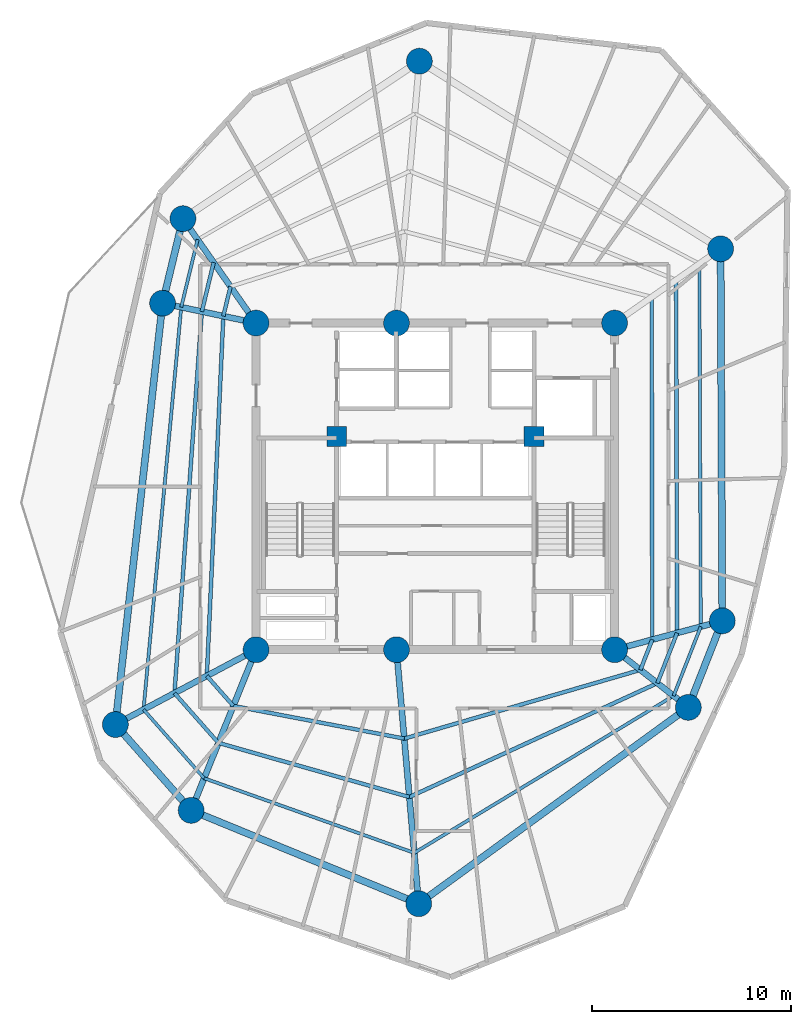
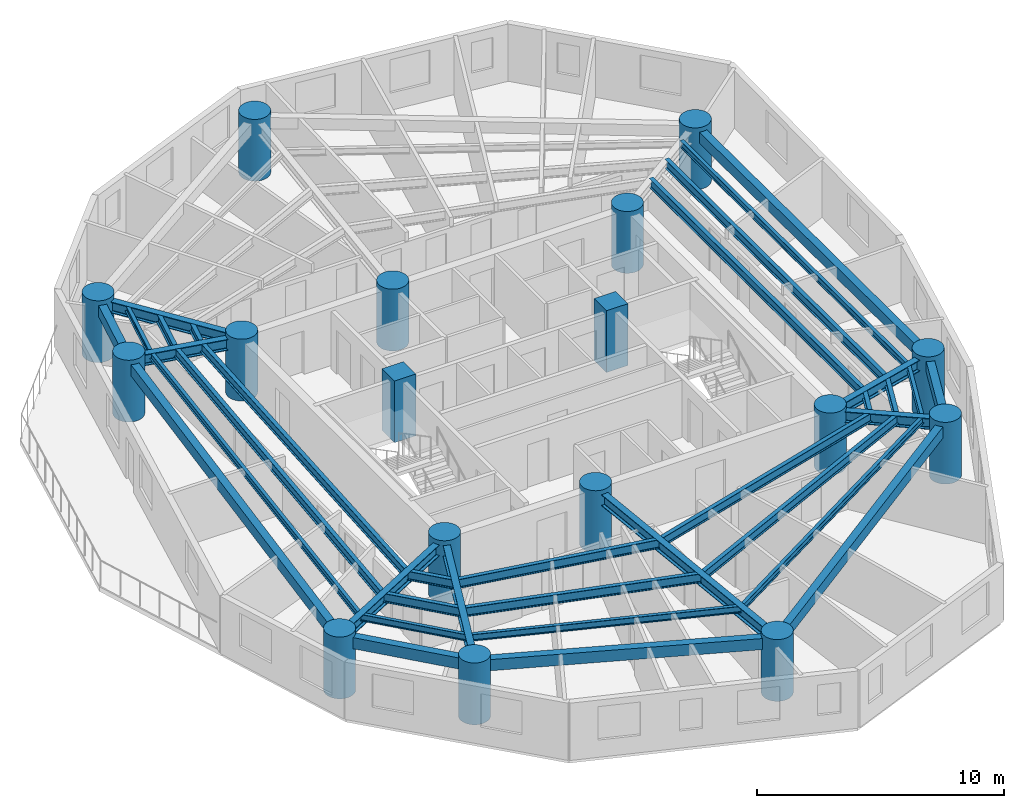
# One storey, part 1 of 9: 35 beams, 17 columns.
"""IFC4 building model written with IfcOpenShell, lengths in metres."""

from ifc_helpers import new_model, si_unit, direction, frame, origin, origin_with_axes, origin_2d, place, context, subcontext, project, spatial, rectangle, circle, i_section, extrude, source, transform, mapped, material, material_profile, profile_set, type_object, element, save


model = new_model("IFC4")

# Units and contexts
model_context = context("Model", 3, precision=1e-05, world=origin(), true_north=direction((0.0, 1.0)))
body_context = subcontext(model_context, "Body", "Model", "MODEL_VIEW")
ifc_project = project(units=[si_unit("LENGTHUNIT", "METRE"), si_unit("AREAUNIT", "SQUARE_METRE"), si_unit("VOLUMEUNIT", "CUBIC_METRE"), si_unit("PLANEANGLEUNIT", "RADIAN"), si_unit("MASSUNIT", "GRAM", prefix="KILO")], contexts=[model_context])

# Site, building, storey
site_placement = place(None, origin())
site = spatial("IfcSite", under=ifc_project, at=site_placement, CompositionType="ELEMENT")
building_placement = place(site_placement, origin())
building = spatial("IfcBuilding", under=site, at=building_placement, Name="Karkom Vertical University and Central Library", CompositionType="ELEMENT")
storey_placement = place(building_placement, frame((0.0, 0.0, 156.550048828125)))
storey = spatial("IfcBuildingStorey", under=building, at=storey_placement, Name="L44", CompositionType="ELEMENT", Elevation=156.550048828125)

# Columns
ifc_material_1 = material(Name="Concrete C50/60", Category="concrete")
ifc_material_profile_1 = material_profile(ifc_material_1, circle(Radius=0.64990234375, at=origin_2d()), Name="CFT-D1300")
ifc_profile_set_1 = profile_set([ifc_material_profile_1], Name="Concrete C50/60")
column_type_1 = type_object("IfcColumnType", Name="STR-COL-C-SC4", PredefinedType="COLUMN", material=ifc_profile_set_1)
shared_shape_1 = source(origin_with_axes(), body_context, "Body", "SweptSolid", [
    extrude(circle(Radius=0.64990234375, at=origin_2d()), origin(), (0.0, 0.0, 1.0), 3.050048828125),
])
for number, where, z_axis, x_axis, name in (
    (1, (19.5, 18.300048828125, 0.0), (0.0, 0.0, 1.0), (1.0, 0.0, 0.0), "Level 44 Spine Mega-Column SC-1"),
    (2, (26.550048828125, 18.300048828125, 0.0), (0.0, 0.0, 1.0), (1.0, 0.0, 0.0), "Level 44 Spine Mega-Column SC-2"),
    (3, (37.5, 18.300048828125, 0.0), (0.0, 0.0, 1.0), (1.0, 0.0, 0.0), "Level 44 Spine Mega-Column SC-3"),
    (4, (19.5, 34.699951171875, 0.0), (0.0, 0.0, 1.0), (1.0, 0.0, 0.0), "Level 44 Spine Mega-Column SC-4"),
    (5, (26.550048828125, 34.699951171875, 0.0), (0.0, 0.0, 1.0), (1.0, 0.0, 0.0), "Level 44 Spine Mega-Column SC-5"),
    (6, (37.5, 34.699951171875, 0.0), (0.0, 0.0, 1.0), (1.0, 0.0, 0.0), "Level 44 Spine Mega-Column SC-6"),
    (7, (42.908935546875, 19.7490234375, 0.0), (0.0, 0.0, 1.0), (1.0, 0.0, 0.0), "Level 44 Perimeter Mega-Column Z3-PC1"),
    (8, (42.823974609375, 38.427978515625, 0.0), (0.0, 0.0, 1.0), (1.0, 0.0, 0.0), "Level 44 Perimeter Mega-Column Z3-PC2"),
    (9, (27.699951171875, 47.85009765625, 0.0), (0.0, 0.0, 1.0), (1.0, 0.0, 0.0), "Level 44 Perimeter Mega-Column Z3-PC3"),
    (10, (15.8291015625, 39.943115234375, 0.0), (0.0, 0.0, 1.0), (1.0, 0.0, 0.0), "Level 44 Perimeter Mega-Column Z3-PC4"),
    (11, (14.804931640625, 35.697998046875, 0.0), (0.0, 0.0, 1.0), (1.0, 0.0, 0.0), "Level 44 Perimeter Mega-Column Z3-PC5"),
    (12, (12.43603515625, 14.5439453125, 0.0), (0.0, 0.0, 1.0), (1.0, 0.0, 0.0), "Level 44 Perimeter Mega-Column Z3-PC6"),
    (13, (16.240966796875, 10.23388671875, 0.0), (0.0, 0.0, 1.0), (1.0, 0.0, 0.0), "Level 44 Perimeter Mega-Column Z3-PC7"),
    (14, (27.666015625, 5.549072265625, 0.0), (0.0, 0.0, 1.0), (1.0, 0.0, 0.0), "Level 44 Perimeter Mega-Column Z3-PC8"),
    (15, (41.2041015625, 15.406005859375, 0.0), (0.0, 0.0, 1.0), (1.0, 0.0, 0.0), "Level 44 Perimeter Mega-Column Z3-PC9"),
):
    element("IfcColumn", number, at=place(storey_placement, frame(where, z_axis=z_axis, x_axis=x_axis)), inside=storey, type_object=column_type_1, Name=name, PredefinedType="COLUMN", context=body_context, shape_type="MappedRepresentation", body=[
        mapped(shared_shape_1, transform((0.0, 0.0, 0.0), scale=1.0)),
    ])
ifc_material_profile_2 = material_profile(ifc_material_1, rectangle(XDim=1.0, YDim=1.0, at=origin_2d()), Name="RC-1000x1000")
ifc_profile_set_2 = profile_set([ifc_material_profile_2], Name="Concrete C50/60")
column_type_2 = type_object("IfcColumnType", Name="STR-COL-C-CC2", PredefinedType="COLUMN", material=ifc_profile_set_2)
shared_shape_2 = source(origin_with_axes(), body_context, "Body", "SweptSolid", [
    extrude(rectangle(XDim=1.0, YDim=1.0, at=origin_2d()), origin(), (0.0, 0.0, 1.0), 3.050048828125),
])
for number, where, z_axis, x_axis, name in (
    (16, (23.550048828125, 29.0, 0.0), (0.0, 0.0, 1.0), (1.0, 0.0, 0.0), "Level 44 Core Node Column CC-1"),
    (17, (33.449951171875, 29.0, 0.0), (0.0, 0.0, 1.0), (1.0, 0.0, 0.0), "Level 44 Core Node Column CC-2"),
):
    element("IfcColumn", number, at=place(storey_placement, frame(where, z_axis=z_axis, x_axis=x_axis)), inside=storey, type_object=column_type_2, Name=name, PredefinedType="COLUMN", context=body_context, shape_type="MappedRepresentation", body=[
        mapped(shared_shape_2, transform((0.0, 0.0, 0.0), scale=1.0)),
    ])

# Beams
ifc_material_2 = material(Name="Precast concrete C45/55", Category="concrete")
ifc_material_profile_3 = material_profile(ifc_material_2, rectangle(XDim=0.35009765625, YDim=0.550048828125, at=origin_2d()), Name="SPB-350x550")
ifc_profile_set_3 = profile_set([ifc_material_profile_3], Name="Precast concrete C45/55")
beam_type_1 = type_object("IfcBeamType", Name="STR-BM-SP-2", PredefinedType="SPANDREL", material=ifc_profile_set_3)
shared_shape_3 = source(origin_with_axes(), body_context, "Body", "SweptSolid", [
    extrude(rectangle(XDim=0.35009765625, YDim=0.550048828125, at=origin_2d()), origin(), (0.0, 0.0, 1.0), 18.67919921875),
])
beam_1_placement = place(storey_placement, frame((42.908935546875, 19.7490234375, 2.550048828125), z_axis=(-0.004548437442, 0.999989655805, 0.0), x_axis=(-0.999989655805, -0.004548437442, 0.0)))
element("IfcBeam", 18, at=beam_1_placement, inside=storey, type_object=beam_type_1, Name="Level 44 Perimeter Spandrel Beam 01", PredefinedType="SPANDREL", context=body_context, shape_type="MappedRepresentation", body=[
    mapped(shared_shape_3, transform((0.0, 0.0, 0.0), scale=1.0)),
])
shared_shape_4 = source(origin_with_axes(), body_context, "Body", "SweptSolid", [
    extrude(rectangle(XDim=0.35009765625, YDim=0.550048828125, at=origin_2d()), origin(), (0.0, 0.0, 1.0), 4.366943359375),
])
beam_2_placement = place(storey_placement, frame((15.8291015625, 39.943115234375, 2.550048828125), z_axis=(-0.234529408772, -0.972109024966, 0.0), x_axis=(0.972109024966, -0.234529408772, 0.0)))
element("IfcBeam", 19, at=beam_2_placement, inside=storey, type_object=beam_type_1, Name="Level 44 Perimeter Spandrel Beam 04", PredefinedType="SPANDREL", context=body_context, shape_type="MappedRepresentation", body=[
    mapped(shared_shape_4, transform((0.0, 0.0, 0.0), scale=1.0)),
])
shared_shape_5 = source(origin_with_axes(), body_context, "Body", "SweptSolid", [
    extrude(rectangle(XDim=0.35009765625, YDim=0.550048828125, at=origin_2d()), origin(), (0.0, 0.0, 1.0), 21.286376953125),
])
beam_3_placement = place(storey_placement, frame((14.804931640625, 35.697998046875, 2.550048828125), z_axis=(-0.111287493264, -0.993788254028, 0.0), x_axis=(0.993788254028, -0.111287493264, 0.0)))
element("IfcBeam", 20, at=beam_3_placement, inside=storey, type_object=beam_type_1, Name="Level 44 Perimeter Spandrel Beam 05", PredefinedType="SPANDREL", context=body_context, shape_type="MappedRepresentation", body=[
    mapped(shared_shape_5, transform((0.0, 0.0, 0.0), scale=1.0)),
])
shared_shape_6 = source(origin_with_axes(), body_context, "Body", "SweptSolid", [
    extrude(rectangle(XDim=0.35009765625, YDim=0.550048828125, at=origin_2d()), origin(), (0.0, 0.0, 1.0), 5.749267578125),
])
beam_4_placement = place(storey_placement, frame((12.43603515625, 14.5439453125, 2.550048828125), z_axis=(0.661811219671, -0.74967053398, 0.0), x_axis=(0.74967053398, 0.661811219671, 0.0)))
element("IfcBeam", 21, at=beam_4_placement, inside=storey, type_object=beam_type_1, Name="Level 44 Perimeter Spandrel Beam 06", PredefinedType="SPANDREL", context=body_context, shape_type="MappedRepresentation", body=[
    mapped(shared_shape_6, transform((0.0, 0.0, 0.0), scale=1.0)),
])
shared_shape_7 = source(origin_with_axes(), body_context, "Body", "SweptSolid", [
    extrude(rectangle(XDim=0.35009765625, YDim=0.550048828125, at=origin_2d()), origin(), (0.0, 0.0, 1.0), 12.34814453125),
])
beam_5_placement = place(storey_placement, frame((16.240966796875, 10.23388671875, 2.550048828125), z_axis=(0.925236428984, -0.37939102583, 0.0), x_axis=(0.37939102583, 0.925236428984, 0.0)))
element("IfcBeam", 22, at=beam_5_placement, inside=storey, type_object=beam_type_1, Name="Level 44 Perimeter Spandrel Beam 07", PredefinedType="SPANDREL", context=body_context, shape_type="MappedRepresentation", body=[
    mapped(shared_shape_7, transform((0.0, 0.0, 0.0), scale=1.0)),
])
shared_shape_8 = source(origin_with_axes(), body_context, "Body", "SweptSolid", [
    extrude(rectangle(XDim=0.35009765625, YDim=0.550048828125, at=origin_2d()), origin(), (0.0, 0.0, 1.0), 16.746337890625),
])
beam_6_placement = place(storey_placement, frame((27.666015625, 5.549072265625, 2.550048828125), z_axis=(0.808422013284, 0.588603303115, 0.0), x_axis=(-0.588603303115, 0.808422013284, 0.0)))
element("IfcBeam", 23, at=beam_6_placement, inside=storey, type_object=beam_type_1, Name="Level 44 Perimeter Spandrel Beam 08", PredefinedType="SPANDREL", context=body_context, shape_type="MappedRepresentation", body=[
    mapped(shared_shape_8, transform((0.0, 0.0, 0.0), scale=1.0)),
])
shared_shape_9 = source(origin_with_axes(), body_context, "Body", "SweptSolid", [
    extrude(rectangle(XDim=0.35009765625, YDim=0.550048828125, at=origin_2d()), origin(), (0.0, 0.0, 1.0), 4.66552734375),
])
beam_7_placement = place(storey_placement, frame((41.2041015625, 15.406005859375, 2.550048828125), z_axis=(0.365401419454, 0.930850043058, 0.0), x_axis=(-0.930850043058, 0.365401419454, 0.0)))
element("IfcBeam", 24, at=beam_7_placement, inside=storey, type_object=beam_type_1, Name="Level 44 Perimeter Spandrel Beam 09", PredefinedType="SPANDREL", context=body_context, shape_type="MappedRepresentation", body=[
    mapped(shared_shape_9, transform((0.0, 0.0, 0.0), scale=1.0)),
])
ifc_material_3 = material(Name="Steel S355", Category="steel")
ifc_material_profile_4 = material_profile(ifc_material_3, i_section(OverallWidth=0.18994140625, OverallDepth=0.449951171875, WebThickness=0.009521484375, FlangeThickness=0.0146484375, FilletRadius=0.02099609375, at=origin_2d()), Name="IPE 450")
ifc_profile_set_4 = profile_set([ifc_material_profile_4], Name="Steel S355")
beam_type_2 = type_object("IfcBeamType", Name="STR-BM-SB-IPE450", PredefinedType="BEAM", material=ifc_profile_set_4)
shared_shape_10 = source(origin_with_axes(), body_context, "Body", "SweptSolid", [
    extrude(i_section(OverallWidth=0.18994140625, OverallDepth=0.449951171875, WebThickness=0.009521484375, FlangeThickness=0.0146484375, FilletRadius=0.02099609375, at=origin_2d()), origin(), (0.0, 0.0, 1.0), 17.19775390625),
])
beam_8_placement = place(storey_placement, frame((39.39306640625, 18.80712890625, 2.599853515625), z_axis=(-0.001731918699, 0.999998500228, 0.0), x_axis=(-0.999998500228, -0.001731918699, 0.0)))
element("IfcBeam", 25, at=beam_8_placement, inside=storey, type_object=beam_type_2, Name="Level 44 Secondary Composite Floor Beam 1.01", PredefinedType="BEAM", context=body_context, shape_type="MappedRepresentation", body=[
    mapped(shared_shape_10, transform((0.0, 0.0, 0.0), scale=1.0)),
])
shared_shape_11 = source(origin_with_axes(), body_context, "Body", "SweptSolid", [
    extrude(i_section(OverallWidth=0.18994140625, OverallDepth=0.449951171875, WebThickness=0.009521484375, FlangeThickness=0.0146484375, FilletRadius=0.02099609375, at=origin_2d()), origin(), (0.0, 0.0, 1.0), 1.5283203125),
])
beam_9_placement = place(storey_placement, frame((18.215087890625, 36.534912109375, 2.599853515625), z_axis=(-0.234520804587, -0.972111100757, 0.0), x_axis=(0.972111100757, -0.234520804587, 0.0)))
element("IfcBeam", 26, at=beam_9_placement, inside=storey, type_object=beam_type_2, Name="Level 44 Secondary Composite Floor Beam 1.04", PredefinedType="BEAM", context=body_context, shape_type="MappedRepresentation", body=[
    mapped(shared_shape_11, transform((0.0, 0.0, 0.0), scale=1.0)),
])
shared_shape_12 = source(origin_with_axes(), body_context, "Body", "SweptSolid", [
    extrude(i_section(OverallWidth=0.18994140625, OverallDepth=0.449951171875, WebThickness=0.009521484375, FlangeThickness=0.0146484375, FilletRadius=0.02099609375, at=origin_2d()), origin(), (0.0, 0.0, 1.0), 18.0830078125),
])
beam_10_placement = place(storey_placement, frame((17.856689453125, 35.04931640625, 2.599853515625), z_axis=(-0.04584982532, -0.998948343769, 0.0), x_axis=(0.998948343769, -0.04584982532, 0.0)))
element("IfcBeam", 27, at=beam_10_placement, inside=storey, type_object=beam_type_2, Name="Level 44 Secondary Composite Floor Beam 1.05", PredefinedType="BEAM", context=body_context, shape_type="MappedRepresentation", body=[
    mapped(shared_shape_12, transform((0.0, 0.0, 0.0), scale=1.0)),
])
shared_shape_13 = source(origin_with_axes(), body_context, "Body", "SweptSolid", [
    extrude(i_section(OverallWidth=0.18994140625, OverallDepth=0.449951171875, WebThickness=0.009521484375, FlangeThickness=0.0146484375, FilletRadius=0.02099609375, at=origin_2d()), origin(), (0.0, 0.0, 1.0), 2.01220703125),
])
beam_11_placement = place(storey_placement, frame((17.027587890625, 16.9853515625, 2.599853515625), z_axis=(0.661822246424, -0.749660799387, 0.0), x_axis=(0.749660799387, 0.661822246424, 0.0)))
element("IfcBeam", 28, at=beam_11_placement, inside=storey, type_object=beam_type_2, Name="Level 44 Secondary Composite Floor Beam 1.06", PredefinedType="BEAM", context=body_context, shape_type="MappedRepresentation", body=[
    mapped(shared_shape_13, transform((0.0, 0.0, 0.0), scale=1.0)),
])
shared_shape_14 = source(origin_with_axes(), body_context, "Body", "SweptSolid", [
    extrude(i_section(OverallWidth=0.18994140625, OverallDepth=0.449951171875, WebThickness=0.009521484375, FlangeThickness=0.0146484375, FilletRadius=0.02099609375, at=origin_2d()), origin(), (0.0, 0.0, 1.0), 8.736572265625),
])
beam_12_placement = place(storey_placement, frame((18.359375, 15.476806640625, 2.599853515625), z_axis=(0.982230782932, -0.187677087205, 0.0), x_axis=(0.187677087205, 0.982230782932, 0.0)))
element("IfcBeam", 29, at=beam_12_placement, inside=storey, type_object=beam_type_2, Name="Level 44 Secondary Composite Floor Beam 1.07", PredefinedType="BEAM", context=body_context, shape_type="MappedRepresentation", body=[
    mapped(shared_shape_14, transform((0.0, 0.0, 0.0), scale=1.0)),
])
shared_shape_15 = source(origin_with_axes(), body_context, "Body", "SweptSolid", [
    extrude(i_section(OverallWidth=0.18994140625, OverallDepth=0.449951171875, WebThickness=0.009521484375, FlangeThickness=0.0146484375, FilletRadius=0.02099609375, at=origin_2d()), origin(), (0.0, 0.0, 1.0), 12.347412109375),
])
beam_13_placement = place(storey_placement, frame((26.940673828125, 13.837158203125, 2.599853515625), z_axis=(0.960173212987, 0.279405442077, 0.0), x_axis=(-0.279405442077, 0.960173212987, 0.0)))
element("IfcBeam", 30, at=beam_13_placement, inside=storey, type_object=beam_type_2, Name="Level 44 Secondary Composite Floor Beam 1.08", PredefinedType="BEAM", context=body_context, shape_type="MappedRepresentation", body=[
    mapped(shared_shape_15, transform((0.0, 0.0, 0.0), scale=1.0)),
])
shared_shape_16 = source(origin_with_axes(), body_context, "Body", "SweptSolid", [
    extrude(i_section(OverallWidth=0.18994140625, OverallDepth=0.449951171875, WebThickness=0.009521484375, FlangeThickness=0.0146484375, FilletRadius=0.02099609375, at=origin_2d()), origin(), (0.0, 0.0, 1.0), 1.633056640625),
])
beam_14_placement = place(storey_placement, frame((38.79638671875, 17.287109375, 2.599853515625), z_axis=(0.365402570083, 0.930849591382, 0.0), x_axis=(-0.930849591382, 0.365402570083, 0.0)))
element("IfcBeam", 31, at=beam_14_placement, inside=storey, type_object=beam_type_2, Name="Level 44 Secondary Composite Floor Beam 1.09", PredefinedType="BEAM", context=body_context, shape_type="MappedRepresentation", body=[
    mapped(shared_shape_16, transform((0.0, 0.0, 0.0), scale=1.0)),
])
shared_shape_17 = source(origin_with_axes(), body_context, "Body", "SweptSolid", [
    extrude(i_section(OverallWidth=0.18994140625, OverallDepth=0.449951171875, WebThickness=0.009521484375, FlangeThickness=0.0146484375, FilletRadius=0.02099609375, at=origin_2d()), origin(), (0.0, 0.0, 1.0), 17.721923828125),
])
beam_15_placement = place(storey_placement, frame((40.63720703125, 19.140380859375, 2.599853515625), z_axis=(-0.002782780006, 0.99999612806, 0.0), x_axis=(-0.99999612806, -0.002782780006, 0.0)))
element("IfcBeam", 32, at=beam_15_placement, inside=storey, type_object=beam_type_2, Name="Level 44 Secondary Composite Floor Beam 2.01", PredefinedType="BEAM", context=body_context, shape_type="MappedRepresentation", body=[
    mapped(shared_shape_17, transform((0.0, 0.0, 0.0), scale=1.0)),
])
shared_shape_18 = source(origin_with_axes(), body_context, "Body", "SweptSolid", [
    extrude(i_section(OverallWidth=0.18994140625, OverallDepth=0.449951171875, WebThickness=0.009521484375, FlangeThickness=0.0146484375, FilletRadius=0.02099609375, at=origin_2d()), origin(), (0.0, 0.0, 1.0), 2.53271484375),
])
beam_16_placement = place(storey_placement, frame((17.370849609375, 37.740966796875, 2.599853515625), z_axis=(-0.234521178828, -0.972111010472, 0.0), x_axis=(0.972111010472, -0.234521178828, 0.0)))
element("IfcBeam", 33, at=beam_16_placement, inside=storey, type_object=beam_type_2, Name="Level 44 Secondary Composite Floor Beam 2.04", PredefinedType="BEAM", context=body_context, shape_type="MappedRepresentation", body=[
    mapped(shared_shape_18, transform((0.0, 0.0, 0.0), scale=1.0)),
])
shared_shape_19 = source(origin_with_axes(), body_context, "Body", "SweptSolid", [
    extrude(i_section(OverallWidth=0.18994140625, OverallDepth=0.449951171875, WebThickness=0.009521484375, FlangeThickness=0.0146484375, FilletRadius=0.02099609375, at=origin_2d()), origin(), (0.0, 0.0, 1.0), 19.20654296875),
])
beam_17_placement = place(storey_placement, frame((16.77685546875, 35.27880859375, 2.599853515625), z_axis=(-0.071539731632, -0.997437750839, 0.0), x_axis=(0.997437750839, -0.071539731632, 0.0)))
element("IfcBeam", 34, at=beam_17_placement, inside=storey, type_object=beam_type_2, Name="Level 44 Secondary Composite Floor Beam 2.05", PredefinedType="BEAM", context=body_context, shape_type="MappedRepresentation", body=[
    mapped(shared_shape_19, transform((0.0, 0.0, 0.0), scale=1.0)),
])
shared_shape_20 = source(origin_with_axes(), body_context, "Body", "SweptSolid", [
    extrude(i_section(OverallWidth=0.18994140625, OverallDepth=0.449951171875, WebThickness=0.009521484375, FlangeThickness=0.0146484375, FilletRadius=0.02099609375, at=origin_2d()), origin(), (0.0, 0.0, 1.0), 3.334716796875),
])
beam_18_placement = place(storey_placement, frame((15.40283203125, 16.12158203125, 2.599853515625), z_axis=(0.661815321502, -0.749666912852, 0.0), x_axis=(0.749666912852, 0.661815321502, 0.0)))
element("IfcBeam", 35, at=beam_18_placement, inside=storey, type_object=beam_type_2, Name="Level 44 Secondary Composite Floor Beam 2.06", PredefinedType="BEAM", context=body_context, shape_type="MappedRepresentation", body=[
    mapped(shared_shape_20, transform((0.0, 0.0, 0.0), scale=1.0)),
])
shared_shape_21 = source(origin_with_axes(), body_context, "Body", "SweptSolid", [
    extrude(i_section(OverallWidth=0.18994140625, OverallDepth=0.449951171875, WebThickness=0.009521484375, FlangeThickness=0.0146484375, FilletRadius=0.02099609375, at=origin_2d()), origin(), (0.0, 0.0, 1.0), 9.965087890625),
])
beam_19_placement = place(storey_placement, frame((17.60986328125, 13.62158203125, 2.599853515625), z_axis=(0.962104232935, -0.272681948372, 0.0), x_axis=(0.272681948372, 0.962104232935, 0.0)))
element("IfcBeam", 36, at=beam_19_placement, inside=storey, type_object=beam_type_2, Name="Level 44 Secondary Composite Floor Beam 2.07", PredefinedType="BEAM", context=body_context, shape_type="MappedRepresentation", body=[
    mapped(shared_shape_21, transform((0.0, 0.0, 0.0), scale=1.0)),
])
shared_shape_22 = source(origin_with_axes(), body_context, "Body", "SweptSolid", [
    extrude(i_section(OverallWidth=0.18994140625, OverallDepth=0.449951171875, WebThickness=0.009521484375, FlangeThickness=0.0146484375, FilletRadius=0.02099609375, at=origin_2d()), origin(), (0.0, 0.0, 1.0), 13.700927734375),
])
beam_20_placement = place(storey_placement, frame((27.197265625, 10.904296875, 2.599853515625), z_axis=(0.908771280691, 0.417294571486, 0.0), x_axis=(-0.417294571486, 0.908771280691, 0.0)))
element("IfcBeam", 37, at=beam_20_placement, inside=storey, type_object=beam_type_2, Name="Level 44 Secondary Composite Floor Beam 2.08", PredefinedType="BEAM", context=body_context, shape_type="MappedRepresentation", body=[
    mapped(shared_shape_22, transform((0.0, 0.0, 0.0), scale=1.0)),
])
shared_shape_23 = source(origin_with_axes(), body_context, "Body", "SweptSolid", [
    extrude(i_section(OverallWidth=0.18994140625, OverallDepth=0.449951171875, WebThickness=0.009521484375, FlangeThickness=0.0146484375, FilletRadius=0.02099609375, at=origin_2d()), origin(), (0.0, 0.0, 1.0), 2.7060546875),
])
beam_21_placement = place(storey_placement, frame((39.648193359375, 16.62158203125, 2.599853515625), z_axis=(0.365487674906, 0.930816179217, 0.0), x_axis=(-0.930816179217, 0.365487674906, 0.0)))
element("IfcBeam", 38, at=beam_21_placement, inside=storey, type_object=beam_type_2, Name="Level 44 Secondary Composite Floor Beam 2.09", PredefinedType="BEAM", context=body_context, shape_type="MappedRepresentation", body=[
    mapped(shared_shape_23, transform((0.0, 0.0, 0.0), scale=1.0)),
])
ifc_material_profile_5 = material_profile(ifc_material_3, i_section(OverallWidth=0.159912109375, OverallDepth=0.330078125, WebThickness=0.007568359375, FlangeThickness=0.011474609375, FilletRadius=0.01806640625, at=origin_2d()), Name="IPE 330")
ifc_profile_set_5 = profile_set([ifc_material_profile_5], Name="Steel S355")
beam_type_3 = type_object("IfcBeamType", Name="STR-BM-SB-IPE330", PredefinedType="BEAM", material=ifc_profile_set_5)
shared_shape_24 = source(origin_with_axes(), body_context, "Body", "SweptSolid", [
    extrude(i_section(OverallWidth=0.159912109375, OverallDepth=0.330078125, WebThickness=0.007568359375, FlangeThickness=0.011474609375, FilletRadius=0.01806640625, at=origin_2d()), origin(), (0.0, 0.0, 1.0), 18.223388671875),
])
beam_22_placement = place(storey_placement, frame((41.8271484375, 19.459228515625, 2.659912109375), z_axis=(-0.003724418851, 0.999993064328, 0.0), x_axis=(-0.999993064328, -0.003724418851, 0.0)))
element("IfcBeam", 39, at=beam_22_placement, inside=storey, type_object=beam_type_3, Name="Level 44 Secondary Composite Floor Beam 3.01", PredefinedType="BEAM", context=body_context, shape_type="MappedRepresentation", body=[
    mapped(shared_shape_24, transform((0.0, 0.0, 0.0), scale=1.0)),
])
shared_shape_25 = source(origin_with_axes(), body_context, "Body", "SweptSolid", [
    extrude(i_section(OverallWidth=0.159912109375, OverallDepth=0.330078125, WebThickness=0.007568359375, FlangeThickness=0.011474609375, FilletRadius=0.01806640625, at=origin_2d()), origin(), (0.0, 0.0, 1.0), 3.493408203125),
])
beam_23_placement = place(storey_placement, frame((16.563232421875, 38.894287109375, 2.659912109375), z_axis=(-0.234535781995, -0.972107487351, 0.0), x_axis=(0.972107487351, -0.234535781995, 0.0)))
element("IfcBeam", 40, at=beam_23_placement, inside=storey, type_object=beam_type_3, Name="Level 44 Secondary Composite Floor Beam 3.04", PredefinedType="BEAM", context=body_context, shape_type="MappedRepresentation", body=[
    mapped(shared_shape_25, transform((0.0, 0.0, 0.0), scale=1.0)),
])
shared_shape_26 = source(origin_with_axes(), body_context, "Body", "SweptSolid", [
    extrude(i_section(OverallWidth=0.159912109375, OverallDepth=0.330078125, WebThickness=0.007568359375, FlangeThickness=0.011474609375, FilletRadius=0.01806640625, at=origin_2d()), origin(), (0.0, 0.0, 1.0), 20.291748046875),
])
beam_24_placement = place(storey_placement, frame((15.743896484375, 35.498291015625, 2.659912109375), z_axis=(-0.093388415244, -0.995629752417, 0.0), x_axis=(0.995629752417, -0.093388415244, 0.0)))
element("IfcBeam", 41, at=beam_24_placement, inside=storey, type_object=beam_type_3, Name="Level 44 Secondary Composite Floor Beam 3.05", PredefinedType="BEAM", context=body_context, shape_type="MappedRepresentation", body=[
    mapped(shared_shape_26, transform((0.0, 0.0, 0.0), scale=1.0)),
])
shared_shape_27 = source(origin_with_axes(), body_context, "Body", "SweptSolid", [
    extrude(i_section(OverallWidth=0.159912109375, OverallDepth=0.330078125, WebThickness=0.007568359375, FlangeThickness=0.011474609375, FilletRadius=0.01806640625, at=origin_2d()), origin(), (0.0, 0.0, 1.0), 4.599365234375),
])
beam_25_placement = place(storey_placement, frame((13.848876953125, 15.295166015625, 2.659912109375), z_axis=(0.661816486801, -0.74966588411, 0.0), x_axis=(0.74966588411, 0.661816486801, 0.0)))
element("IfcBeam", 42, at=beam_25_placement, inside=storey, type_object=beam_type_3, Name="Level 44 Secondary Composite Floor Beam 3.06", PredefinedType="BEAM", context=body_context, shape_type="MappedRepresentation", body=[
    mapped(shared_shape_27, transform((0.0, 0.0, 0.0), scale=1.0)),
])
shared_shape_28 = source(origin_with_axes(), body_context, "Body", "SweptSolid", [
    extrude(i_section(OverallWidth=0.159912109375, OverallDepth=0.330078125, WebThickness=0.007568359375, FlangeThickness=0.011474609375, FilletRadius=0.01806640625, at=origin_2d()), origin(), (0.0, 0.0, 1.0), 11.196044921875),
])
beam_26_placement = place(storey_placement, frame((16.892822265625, 11.84716796875, 2.659912109375), z_axis=(0.942301538336, -0.334765307119, 0.0), x_axis=(0.334765307119, 0.942301538336, 0.0)))
element("IfcBeam", 43, at=beam_26_placement, inside=storey, type_object=beam_type_3, Name="Level 44 Secondary Composite Floor Beam 3.07", PredefinedType="BEAM", context=body_context, shape_type="MappedRepresentation", body=[
    mapped(shared_shape_28, transform((0.0, 0.0, 0.0), scale=1.0)),
])
shared_shape_29 = source(origin_with_axes(), body_context, "Body", "SweptSolid", [
    extrude(i_section(OverallWidth=0.159912109375, OverallDepth=0.330078125, WebThickness=0.007568359375, FlangeThickness=0.011474609375, FilletRadius=0.01806640625, at=origin_2d()), origin(), (0.0, 0.0, 1.0), 15.22216796875),
])
beam_27_placement = place(storey_placement, frame((27.44287109375, 8.09912109375, 2.659912109375), z_axis=(0.855352900974, 0.518045765155, 0.0), x_axis=(-0.518045765155, 0.855352900974, 0.0)))
element("IfcBeam", 44, at=beam_27_placement, inside=storey, type_object=beam_type_3, Name="Level 44 Secondary Composite Floor Beam 3.08", PredefinedType="BEAM", context=body_context, shape_type="MappedRepresentation", body=[
    mapped(shared_shape_29, transform((0.0, 0.0, 0.0), scale=1.0)),
])
shared_shape_30 = source(origin_with_axes(), body_context, "Body", "SweptSolid", [
    extrude(i_section(OverallWidth=0.159912109375, OverallDepth=0.330078125, WebThickness=0.007568359375, FlangeThickness=0.011474609375, FilletRadius=0.01806640625, at=origin_2d()), origin(), (0.0, 0.0, 1.0), 3.732421875),
])
beam_28_placement = place(storey_placement, frame((40.463134765625, 15.98486328125, 2.659912109375), z_axis=(0.365439874109, 0.930834946922, 0.0), x_axis=(-0.930834946922, 0.365439874109, 0.0)))
element("IfcBeam", 45, at=beam_28_placement, inside=storey, type_object=beam_type_3, Name="Level 44 Secondary Composite Floor Beam 3.09", PredefinedType="BEAM", context=body_context, shape_type="MappedRepresentation", body=[
    mapped(shared_shape_30, transform((0.0, 0.0, 0.0), scale=1.0)),
])
ifc_material_profile_6 = material_profile(ifc_material_3, i_section(OverallWidth=0.300048828125, OverallDepth=0.550048828125, WebThickness=0.014892578125, FlangeThickness=0.029052734375, FilletRadius=0.027099609375, at=origin_2d()), Name="HE 550 B")
ifc_profile_set_6 = profile_set([ifc_material_profile_6], Name="Steel S355")
beam_type_4 = type_object("IfcBeamType", Name="STR-BM-SB-HE550", PredefinedType="USERDEFINED", material=ifc_profile_set_6)
shared_shape_31 = source(origin_with_axes(), body_context, "Body", "SweptSolid", [
    extrude(i_section(OverallWidth=0.300048828125, OverallDepth=0.550048828125, WebThickness=0.014892578125, FlangeThickness=0.029052734375, FilletRadius=0.027099609375, at=origin_2d()), origin(), (0.0, 0.0, 1.0), 5.599609375),
])
beam_29_placement = place(storey_placement, frame((37.5, 18.300048828125, 2.550048828125), z_axis=(0.965941240814, 0.258761510459, 0.0), x_axis=(-0.258761510459, 0.965941240814, 0.0)))
element("IfcBeam", 46, at=beam_29_placement, inside=storey, type_object=beam_type_4, Name="Level 44 Radial Frame Girder 01", ObjectType="GIRDER", PredefinedType="USERDEFINED", context=body_context, shape_type="MappedRepresentation", body=[
    mapped(shared_shape_31, transform((0.0, 0.0, 0.0), scale=1.0)),
])
shared_shape_32 = source(origin_with_axes(), body_context, "Body", "SweptSolid", [
    extrude(i_section(OverallWidth=0.300048828125, OverallDepth=0.550048828125, WebThickness=0.014892578125, FlangeThickness=0.029052734375, FilletRadius=0.027099609375, at=origin_2d()), origin(), (0.0, 0.0, 1.0), 6.400390625),
])
beam_30_placement = place(storey_placement, frame((19.5, 34.699951171875, 2.550048828125), z_axis=(-0.573534022273, 0.81918174131, 0.0), x_axis=(-0.81918174131, -0.573534022273, 0.0)))
element("IfcBeam", 47, at=beam_30_placement, inside=storey, type_object=beam_type_4, Name="Level 44 Radial Frame Girder 04", ObjectType="GIRDER", PredefinedType="USERDEFINED", context=body_context, shape_type="MappedRepresentation", body=[
    mapped(shared_shape_32, transform((0.0, 0.0, 0.0), scale=1.0)),
])
shared_shape_33 = source(origin_with_axes(), body_context, "Body", "SweptSolid", [
    extrude(i_section(OverallWidth=0.300048828125, OverallDepth=0.550048828125, WebThickness=0.014892578125, FlangeThickness=0.029052734375, FilletRadius=0.027099609375, at=origin_2d()), origin(), (0.0, 0.0, 1.0), 4.800048828125),
])
beam_31_placement = place(storey_placement, frame((19.5, 34.699951171875, 2.550048828125), z_axis=(-0.978144241295, 0.207927495108, 0.0), x_axis=(-0.207927495108, -0.978144241295, 0.0)))
element("IfcBeam", 48, at=beam_31_placement, inside=storey, type_object=beam_type_4, Name="Level 44 Radial Frame Girder 05", ObjectType="GIRDER", PredefinedType="USERDEFINED", context=body_context, shape_type="MappedRepresentation", body=[
    mapped(shared_shape_33, transform((0.0, 0.0, 0.0), scale=1.0)),
])
shared_shape_34 = source(origin_with_axes(), body_context, "Body", "SweptSolid", [
    extrude(i_section(OverallWidth=0.300048828125, OverallDepth=0.550048828125, WebThickness=0.014892578125, FlangeThickness=0.029052734375, FilletRadius=0.027099609375, at=origin_2d()), origin(), (0.0, 0.0, 1.0), 8.00048828125),
])
beam_32_placement = place(storey_placement, frame((19.5, 18.300048828125, 2.550048828125), z_axis=(-0.882941023922, -0.46948391695, 0.0), x_axis=(0.46948391695, -0.882941023922, 0.0)))
element("IfcBeam", 49, at=beam_32_placement, inside=storey, type_object=beam_type_4, Name="Level 44 Radial Frame Girder 06", ObjectType="GIRDER", PredefinedType="USERDEFINED", context=body_context, shape_type="MappedRepresentation", body=[
    mapped(shared_shape_34, transform((0.0, 0.0, 0.0), scale=1.0)),
])
shared_shape_35 = source(origin_with_axes(), body_context, "Body", "SweptSolid", [
    extrude(i_section(OverallWidth=0.300048828125, OverallDepth=0.550048828125, WebThickness=0.014892578125, FlangeThickness=0.029052734375, FilletRadius=0.027099609375, at=origin_2d()), origin(), (0.0, 0.0, 1.0), 8.69970703125),
])
beam_33_placement = place(storey_placement, frame((19.5, 18.300048828125, 2.550048828125), z_axis=(-0.374615701214, -0.927180174725, 0.0), x_axis=(0.927180174725, -0.374615701214, 0.0)))
element("IfcBeam", 50, at=beam_33_placement, inside=storey, type_object=beam_type_4, Name="Level 44 Radial Frame Girder 07", ObjectType="GIRDER", PredefinedType="USERDEFINED", context=body_context, shape_type="MappedRepresentation", body=[
    mapped(shared_shape_35, transform((0.0, 0.0, 0.0), scale=1.0)),
])
shared_shape_36 = source(origin_with_axes(), body_context, "Body", "SweptSolid", [
    extrude(i_section(OverallWidth=0.300048828125, OverallDepth=0.550048828125, WebThickness=0.014892578125, FlangeThickness=0.029052734375, FilletRadius=0.027099609375, at=origin_2d()), origin(), (0.0, 0.0, 1.0), 12.7998046875),
])
beam_34_placement = place(storey_placement, frame((26.550048828125, 18.300048828125, 2.550048828125), z_axis=(0.087186825694, -0.996191978198, 0.0), x_axis=(0.996191978198, 0.087186825694, 0.0)))
element("IfcBeam", 51, at=beam_34_placement, inside=storey, type_object=beam_type_4, Name="Level 44 Radial Frame Girder 08", ObjectType="GIRDER", PredefinedType="USERDEFINED", context=body_context, shape_type="MappedRepresentation", body=[
    mapped(shared_shape_36, transform((0.0, 0.0, 0.0), scale=1.0)),
])
shared_shape_37 = source(origin_with_axes(), body_context, "Body", "SweptSolid", [
    extrude(i_section(OverallWidth=0.300048828125, OverallDepth=0.550048828125, WebThickness=0.014892578125, FlangeThickness=0.029052734375, FilletRadius=0.027099609375, at=origin_2d()), origin(), (0.0, 0.0, 1.0), 4.70068359375),
])
beam_35_placement = place(storey_placement, frame((37.5, 18.300048828125, 2.550048828125), z_axis=(0.788002325582, -0.615672262553, 0.0), x_axis=(0.615672262553, 0.788002325582, 0.0)))
element("IfcBeam", 52, at=beam_35_placement, inside=storey, type_object=beam_type_4, Name="Level 44 Radial Frame Girder 09", ObjectType="GIRDER", PredefinedType="USERDEFINED", context=body_context, shape_type="MappedRepresentation", body=[
    mapped(shared_shape_37, transform((0.0, 0.0, 0.0), scale=1.0)),
])

save(model, "model.ifc")
